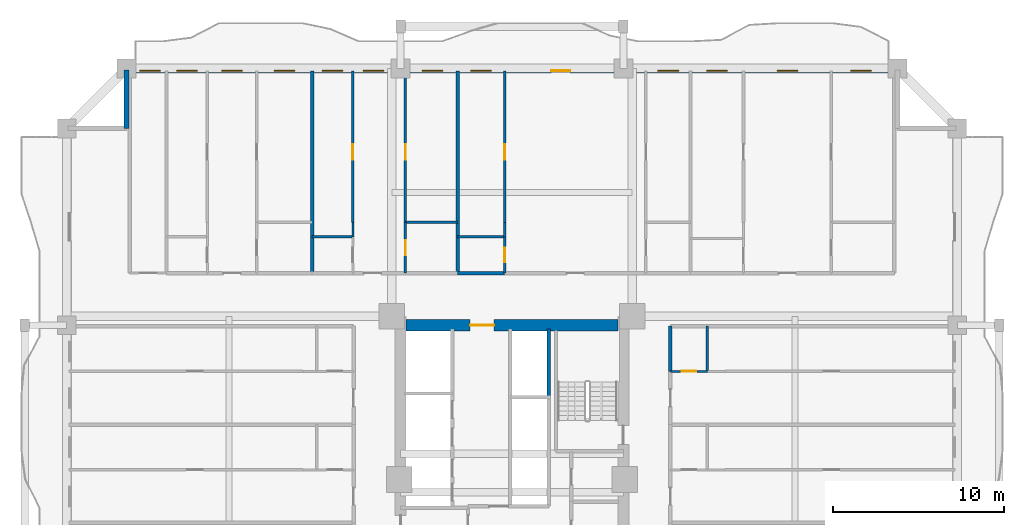
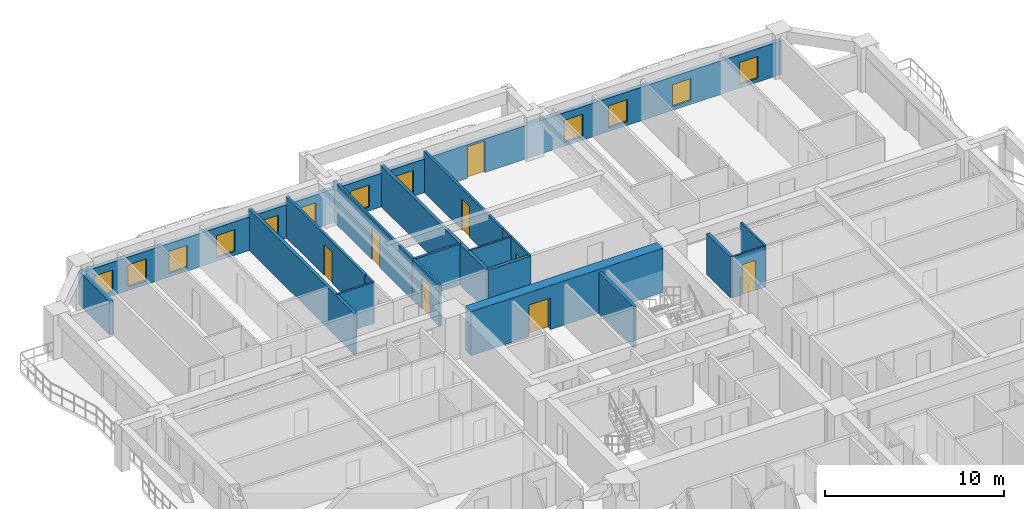
# One storey, part 8 of 16: 20 walls, 12 windows, 8 doors, 20 openings.
"""IFC4 building model written with IfcOpenShell, lengths in metres."""

from ifc_helpers import new_model, si_unit, direction, frame, frame_2d, origin, place, context, subcontext, project, spatial, rectangle, extrude, source, transform, mapped, material, layer, layer_set, type_object, element, fill, save


model = new_model("IFC4")

# Units and contexts
model_context = context("Model", 3, precision=1e-05, world=origin(), true_north=direction((0.0, 1.0)))
body_context = subcontext(model_context, "Body", "Model", "MODEL_VIEW")
ifc_project = project(units=[si_unit("LENGTHUNIT", "METRE"), si_unit("AREAUNIT", "SQUARE_METRE"), si_unit("VOLUMEUNIT", "CUBIC_METRE"), si_unit("PLANEANGLEUNIT", "RADIAN"), si_unit("MASSUNIT", "GRAM", prefix="KILO")], contexts=[model_context])

# Site, building, storey
site_placement = place(None, origin())
site = spatial("IfcSite", under=ifc_project, at=site_placement, CompositionType="ELEMENT")
building_placement = place(site_placement, origin())
building = spatial("IfcBuilding", under=site, at=building_placement, Name="Saelheon Loggia Tower", CompositionType="ELEMENT")
storey_placement = place(building_placement, frame((0.0, 0.0, 58.39990234375)))
storey = spatial("IfcBuildingStorey", under=building, at=storey_placement, Name="L18", CompositionType="ELEMENT", Elevation=58.39990234375)

# Wall, opening, door
ifc_material_1 = material(Name="Concrete C60/75", Category="concrete")
ifc_layer_1 = layer(ifc_material_1, 0.64990234375)
ifc_layer_set_1 = layer_set([ifc_layer_1], Name="Concrete C60/75")
wall_type_1 = type_object("IfcWallType", Name="Wall_CoreShear_650", PredefinedType="SHEAR", material=ifc_layer_set_1)
wall_1_placement = place(storey_placement, frame((31.824951171875, 36.0, 0.0), z_axis=(0.0, 0.0, 1.0), x_axis=(1.0, 0.0, 0.0)))
wall_1 = element("IfcWall", 1, at=wall_1_placement, inside=storey, type_object=wall_type_1, Name="L18 Core Shear Wall North", PredefinedType="SHEAR", context=body_context, shape_type="SweptSolid", body=[
    extrude(rectangle(XDim=12.35009765625, YDim=0.64990234375, at=frame_2d((6.175048828125, 0.0))), origin(), (0.0, 0.0, 1.0), 3.0),
])
opening_1_placement = place(wall_1_placement, frame((5.125, 0.0, 0.0), z_axis=(0.0, 0.0, 1.0), x_axis=(-1.0, 0.0, 0.0)))
opening_1 = element("IfcOpeningElement", 2, at=opening_1_placement, cuts=wall_1, Name="Opening D-FD2L", PredefinedType="OPENING", context=body_context, shape_type="SweptSolid", body=[
    extrude(rectangle(XDim=1.39990234375, YDim=2.14990234375, at=frame_2d((0.699951171875, 1.074951171875))), frame((0.0, 0.3369140625, 0.0), z_axis=(0.0, -1.0, 0.0), x_axis=(1.0, 0.0, 0.0)), (0.0, 0.0, 1.0), 0.673828125),
])
ifc_material_2 = material(Name="Galvanised Steel Glazed Lobby Fire Door", Category="steel")
door_type_1 = type_object("IfcDoorType", Name="Door_Fire_FD60_1400", OperationType="NOTDEFINED", PredefinedType="DOOR", material=ifc_material_2)
shared_shape_1 = source(origin(), body_context, "Body", "SweptSolid", [
    extrude(rectangle(XDim=1.39990234375, YDim=2.14990234375, at=frame_2d((0.699951171875, 1.074951171875))), frame((0.0, 0.02490234375, 0.0), z_axis=(0.0, -1.0, 0.0), x_axis=(1.0, 0.0, 0.0)), (0.0, 0.0, 1.0), 0.050048828125),
])
door_1_placement = place(opening_1_placement, origin())
door_1 = element("IfcDoor", 3, at=door_1_placement, inside=storey, type_object=door_type_1, Name="L18 Passenger Lift Lobby Main Door", OperationType="SINGLE_SWING_RIGHT", OverallHeight=2.14990234375, OverallWidth=1.39990234375, PredefinedType="DOOR", context=body_context, shape_type="MappedRepresentation", body=[
    mapped(shared_shape_1, transform((0.0, 0.0, 0.0), scale=1.0)),
])
fill(opening_1, door_1)

# Wall, openings, windows, door
ifc_material_3 = material(Name="Architectural Precast Concrete C40/50", Category="concrete")
ifc_layer_2 = layer(ifc_material_3, 0.280029296875)
ifc_layer_set_2 = layer_set([ifc_layer_2], Name="Architectural Precast Concrete C40/50")
wall_type_2 = type_object("IfcWallType", Name="Wall_Ext_Loggia_280", PredefinedType="SOLIDWALL", material=ifc_layer_set_2)
wall_2_placement = place(storey_placement, frame((15.5, 50.860107421875, 0.0), z_axis=(0.0, 0.0, 1.0), x_axis=(1.0, 0.0, 0.0)))
wall_2 = element("IfcWall", 4, at=wall_2_placement, inside=storey, type_object=wall_type_2, Name="L18 North Loggia Inner Wall", PredefinedType="SOLIDWALL", context=body_context, shape_type="SweptSolid", body=[
    extrude(rectangle(XDim=45.0, YDim=0.280029296875, at=frame_2d((22.5, 0.0))), origin(), (0.0, 0.0, 1.0), 2.280029296875),
])
opening_2_placement = place(wall_2_placement, frame((0.760009765625, 0.0, 0.25)))
opening_2 = element("IfcOpeningElement", 5, at=opening_2_placement, cuts=wall_2, Name="Opening WN-03", PredefinedType="OPENING", context=body_context, shape_type="SweptSolid", body=[
    extrude(rectangle(XDim=1.199951171875, YDim=1.5, at=frame_2d((0.60009765625, 0.75))), frame((0.0, 0.152099609375, 0.0), z_axis=(0.0, -1.0, 0.0), x_axis=(1.0, 0.0, 0.0)), (0.0, 0.0, 1.0), 0.303955078125),
])
opening_3_placement = place(wall_2_placement, frame((2.919677734375, 0.0, 0.25)))
opening_3 = element("IfcOpeningElement", 6, at=opening_3_placement, cuts=wall_2, Name="Opening WN-03", PredefinedType="OPENING", context=body_context, shape_type="SweptSolid", body=[
    extrude(rectangle(XDim=1.199951171875, YDim=1.5, at=frame_2d((0.60009765625, 0.75))), frame((0.0, 0.152099609375, 0.0), z_axis=(0.0, -1.0, 0.0), x_axis=(1.0, 0.0, 0.0)), (0.0, 0.0, 1.0), 0.303955078125),
])
opening_4_placement = place(wall_2_placement, frame((5.55419921875, 0.0, 0.25)))
opening_4 = element("IfcOpeningElement", 7, at=opening_4_placement, cuts=wall_2, Name="Opening WN-03", PredefinedType="OPENING", context=body_context, shape_type="SweptSolid", body=[
    extrude(rectangle(XDim=1.199951171875, YDim=1.5, at=frame_2d((0.60009765625, 0.75))), frame((0.0, 0.152099609375, 0.0), z_axis=(0.0, -1.0, 0.0), x_axis=(1.0, 0.0, 0.0)), (0.0, 0.0, 1.0), 0.303955078125),
])
opening_5_placement = place(wall_2_placement, frame((8.61328125, 0.0, 0.25)))
opening_5 = element("IfcOpeningElement", 8, at=opening_5_placement, cuts=wall_2, Name="Opening WN-03", PredefinedType="OPENING", context=body_context, shape_type="SweptSolid", body=[
    extrude(rectangle(XDim=1.199951171875, YDim=1.5, at=frame_2d((0.60009765625, 0.75))), frame((0.0, 0.152099609375, 0.0), z_axis=(0.0, -1.0, 0.0), x_axis=(1.0, 0.0, 0.0)), (0.0, 0.0, 1.0), 0.303955078125),
])
opening_6_placement = place(wall_2_placement, frame((11.417724609375, 0.0, 0.25)))
opening_6 = element("IfcOpeningElement", 9, at=opening_6_placement, cuts=wall_2, Name="Opening WN-03", PredefinedType="OPENING", context=body_context, shape_type="SweptSolid", body=[
    extrude(rectangle(XDim=1.199951171875, YDim=1.5, at=frame_2d((0.60009765625, 0.75))), frame((0.0, 0.152099609375, 0.0), z_axis=(0.0, -1.0, 0.0), x_axis=(1.0, 0.0, 0.0)), (0.0, 0.0, 1.0), 0.303955078125),
])
opening_7_placement = place(wall_2_placement, frame((13.80859375, 0.0, 0.25)))
opening_7 = element("IfcOpeningElement", 10, at=opening_7_placement, cuts=wall_2, Name="Opening WN-03", PredefinedType="OPENING", context=body_context, shape_type="SweptSolid", body=[
    extrude(rectangle(XDim=1.199951171875, YDim=1.5, at=frame_2d((0.60009765625, 0.75))), frame((0.0, 0.152099609375, 0.0), z_axis=(0.0, -1.0, 0.0), x_axis=(1.0, 0.0, 0.0)), (0.0, 0.0, 1.0), 0.303955078125),
])
opening_8_placement = place(wall_2_placement, frame((17.258056640625, 0.0, 0.25)))
opening_8 = element("IfcOpeningElement", 11, at=opening_8_placement, cuts=wall_2, Name="Opening WN-03", PredefinedType="OPENING", context=body_context, shape_type="SweptSolid", body=[
    extrude(rectangle(XDim=1.199951171875, YDim=1.5, at=frame_2d((0.60009765625, 0.75))), frame((0.0, 0.152099609375, 0.0), z_axis=(0.0, -1.0, 0.0), x_axis=(1.0, 0.0, 0.0)), (0.0, 0.0, 1.0), 0.303955078125),
])
opening_9_placement = place(wall_2_placement, frame((20.10107421875, 0.0, 0.25)))
opening_9 = element("IfcOpeningElement", 12, at=opening_9_placement, cuts=wall_2, Name="Opening WN-03", PredefinedType="OPENING", context=body_context, shape_type="SweptSolid", body=[
    extrude(rectangle(XDim=1.199951171875, YDim=1.5, at=frame_2d((0.60009765625, 0.75))), frame((0.0, 0.152099609375, 0.0), z_axis=(0.0, -1.0, 0.0), x_axis=(1.0, 0.0, 0.0)), (0.0, 0.0, 1.0), 0.303955078125),
])
opening_10_placement = place(wall_2_placement, frame((24.79296875, 0.0, 0.0)))
opening_10 = element("IfcOpeningElement", 13, at=opening_10_placement, cuts=wall_2, Name="Opening TD1", PredefinedType="OPENING", context=body_context, shape_type="SweptSolid", body=[
    extrude(rectangle(XDim=1.10009765625, YDim=2.14990234375, at=frame_2d((0.550048828125, 1.074951171875))), frame((0.0, 0.152099609375, 0.0), z_axis=(0.0, -1.0, 0.0), x_axis=(1.0, 0.0, 0.0)), (0.0, 0.0, 1.0), 0.303955078125),
])
opening_11_placement = place(wall_2_placement, frame((31.021484375, 0.0, 0.25)))
opening_11 = element("IfcOpeningElement", 14, at=opening_11_placement, cuts=wall_2, Name="Opening WN-03", PredefinedType="OPENING", context=body_context, shape_type="SweptSolid", body=[
    extrude(rectangle(XDim=1.199951171875, YDim=1.5, at=frame_2d((0.60009765625, 0.75))), frame((0.0, 0.152099609375, 0.0), z_axis=(0.0, -1.0, 0.0), x_axis=(1.0, 0.0, 0.0)), (0.0, 0.0, 1.0), 0.303955078125),
])
opening_12_placement = place(wall_2_placement, frame((33.869384765625, 0.0, 0.25)))
opening_12 = element("IfcOpeningElement", 15, at=opening_12_placement, cuts=wall_2, Name="Opening WN-03", PredefinedType="OPENING", context=body_context, shape_type="SweptSolid", body=[
    extrude(rectangle(XDim=1.199951171875, YDim=1.5, at=frame_2d((0.60009765625, 0.75))), frame((0.0, 0.152099609375, 0.0), z_axis=(0.0, -1.0, 0.0), x_axis=(1.0, 0.0, 0.0)), (0.0, 0.0, 1.0), 0.303955078125),
])
opening_13_placement = place(wall_2_placement, frame((37.979736328125, 0.0, 0.25)))
opening_13 = element("IfcOpeningElement", 16, at=opening_13_placement, cuts=wall_2, Name="Opening WN-03", PredefinedType="OPENING", context=body_context, shape_type="SweptSolid", body=[
    extrude(rectangle(XDim=1.199951171875, YDim=1.5, at=frame_2d((0.60009765625, 0.75))), frame((0.0, 0.152099609375, 0.0), z_axis=(0.0, -1.0, 0.0), x_axis=(1.0, 0.0, 0.0)), (0.0, 0.0, 1.0), 0.303955078125),
])
opening_14_placement = place(wall_2_placement, frame((42.276611328125, 0.0, 0.25)))
opening_14 = element("IfcOpeningElement", 17, at=opening_14_placement, cuts=wall_2, Name="Opening WN-03", PredefinedType="OPENING", context=body_context, shape_type="SweptSolid", body=[
    extrude(rectangle(XDim=1.199951171875, YDim=1.5, at=frame_2d((0.60009765625, 0.75))), frame((0.0, 0.152099609375, 0.0), z_axis=(0.0, -1.0, 0.0), x_axis=(1.0, 0.0, 0.0)), (0.0, 0.0, 1.0), 0.303955078125),
])
ifc_material_4 = material(Name="Thermal-Break Aluminium and Triple Low-E Glass", Category="aluminium")
window_type = type_object("IfcWindowType", Name="Win_Bedroom_1200x1500", PartitioningType="SINGLE_PANEL", PredefinedType="WINDOW", material=ifc_material_4)
shared_shape_2 = source(origin(), body_context, "Body", "SweptSolid", [
    extrude(rectangle(XDim=1.199951171875, YDim=1.5, at=frame_2d((0.60009765625, 0.75))), frame((0.0, 0.030029296875, 0.0), z_axis=(0.0, -1.0, 0.0), x_axis=(1.0, 0.0, 0.0)), (0.0, 0.0, 1.0), 0.06005859375),
])
window_1_placement = place(opening_2_placement, origin())
window_1 = element("IfcWindow", 18, at=window_1_placement, inside=storey, type_object=window_type, Name="L18 N Dwelling Window 1", OverallHeight=1.5, OverallWidth=1.199951171875, PartitioningType="SINGLE_PANEL", PredefinedType="WINDOW", context=body_context, shape_type="MappedRepresentation", body=[
    mapped(shared_shape_2, transform((0.0, 0.0, 0.0), scale=1.0)),
])
fill(opening_2, window_1)
window_2_placement = place(opening_3_placement, origin())
window_2 = element("IfcWindow", 19, at=window_2_placement, inside=storey, type_object=window_type, Name="L18 N Dwelling Window 2", OverallHeight=1.5, OverallWidth=1.199951171875, PartitioningType="SINGLE_PANEL", PredefinedType="WINDOW", context=body_context, shape_type="MappedRepresentation", body=[
    mapped(shared_shape_2, transform((0.0, 0.0, 0.0), scale=1.0)),
])
fill(opening_3, window_2)
window_3_placement = place(opening_4_placement, origin())
window_3 = element("IfcWindow", 20, at=window_3_placement, inside=storey, type_object=window_type, Name="L18 N Dwelling Window 3", OverallHeight=1.5, OverallWidth=1.199951171875, PartitioningType="SINGLE_PANEL", PredefinedType="WINDOW", context=body_context, shape_type="MappedRepresentation", body=[
    mapped(shared_shape_2, transform((0.0, 0.0, 0.0), scale=1.0)),
])
fill(opening_4, window_3)
window_4_placement = place(opening_5_placement, origin())
window_4 = element("IfcWindow", 21, at=window_4_placement, inside=storey, type_object=window_type, Name="L18 N Dwelling Window 4", OverallHeight=1.5, OverallWidth=1.199951171875, PartitioningType="SINGLE_PANEL", PredefinedType="WINDOW", context=body_context, shape_type="MappedRepresentation", body=[
    mapped(shared_shape_2, transform((0.0, 0.0, 0.0), scale=1.0)),
])
fill(opening_5, window_4)
window_5_placement = place(opening_6_placement, origin())
window_5 = element("IfcWindow", 22, at=window_5_placement, inside=storey, type_object=window_type, Name="L18 N Dwelling Window 5", OverallHeight=1.5, OverallWidth=1.199951171875, PartitioningType="SINGLE_PANEL", PredefinedType="WINDOW", context=body_context, shape_type="MappedRepresentation", body=[
    mapped(shared_shape_2, transform((0.0, 0.0, 0.0), scale=1.0)),
])
fill(opening_6, window_5)
window_6_placement = place(opening_7_placement, origin())
window_6 = element("IfcWindow", 23, at=window_6_placement, inside=storey, type_object=window_type, Name="L18 N Dwelling Window 6", OverallHeight=1.5, OverallWidth=1.199951171875, PartitioningType="SINGLE_PANEL", PredefinedType="WINDOW", context=body_context, shape_type="MappedRepresentation", body=[
    mapped(shared_shape_2, transform((0.0, 0.0, 0.0), scale=1.0)),
])
fill(opening_7, window_6)
window_7_placement = place(opening_8_placement, origin())
window_7 = element("IfcWindow", 24, at=window_7_placement, inside=storey, type_object=window_type, Name="L18 N Dwelling Window 7", OverallHeight=1.5, OverallWidth=1.199951171875, PartitioningType="SINGLE_PANEL", PredefinedType="WINDOW", context=body_context, shape_type="MappedRepresentation", body=[
    mapped(shared_shape_2, transform((0.0, 0.0, 0.0), scale=1.0)),
])
fill(opening_8, window_7)
window_8_placement = place(opening_9_placement, origin())
window_8 = element("IfcWindow", 25, at=window_8_placement, inside=storey, type_object=window_type, Name="L18 N Dwelling Window 8", OverallHeight=1.5, OverallWidth=1.199951171875, PartitioningType="SINGLE_PANEL", PredefinedType="WINDOW", context=body_context, shape_type="MappedRepresentation", body=[
    mapped(shared_shape_2, transform((0.0, 0.0, 0.0), scale=1.0)),
])
fill(opening_9, window_8)
window_9_placement = place(opening_11_placement, origin())
window_9 = element("IfcWindow", 26, at=window_9_placement, inside=storey, type_object=window_type, Name="L18 N Dwelling Window 10", OverallHeight=1.5, OverallWidth=1.199951171875, PartitioningType="SINGLE_PANEL", PredefinedType="WINDOW", context=body_context, shape_type="MappedRepresentation", body=[
    mapped(shared_shape_2, transform((0.0, 0.0, 0.0), scale=1.0)),
])
fill(opening_11, window_9)
window_10_placement = place(opening_12_placement, origin())
window_10 = element("IfcWindow", 27, at=window_10_placement, inside=storey, type_object=window_type, Name="L18 N Dwelling Window 11", OverallHeight=1.5, OverallWidth=1.199951171875, PartitioningType="SINGLE_PANEL", PredefinedType="WINDOW", context=body_context, shape_type="MappedRepresentation", body=[
    mapped(shared_shape_2, transform((0.0, 0.0, 0.0), scale=1.0)),
])
fill(opening_12, window_10)
window_11_placement = place(opening_13_placement, origin())
window_11 = element("IfcWindow", 28, at=window_11_placement, inside=storey, type_object=window_type, Name="L18 N Dwelling Window 12", OverallHeight=1.5, OverallWidth=1.199951171875, PartitioningType="SINGLE_PANEL", PredefinedType="WINDOW", context=body_context, shape_type="MappedRepresentation", body=[
    mapped(shared_shape_2, transform((0.0, 0.0, 0.0), scale=1.0)),
])
fill(opening_13, window_11)
window_12_placement = place(opening_14_placement, origin())
window_12 = element("IfcWindow", 29, at=window_12_placement, inside=storey, type_object=window_type, Name="L18 N Dwelling Window 13", OverallHeight=1.5, OverallWidth=1.199951171875, PartitioningType="SINGLE_PANEL", PredefinedType="WINDOW", context=body_context, shape_type="MappedRepresentation", body=[
    mapped(shared_shape_2, transform((0.0, 0.0, 0.0), scale=1.0)),
])
fill(opening_14, window_12)
ifc_material_5 = material(Name="Thermal-Break Aluminium Glazed Door", Category="aluminium")
door_type_2 = type_object("IfcDoorType", Name="Door_Terrace_TD1", OperationType="NOTDEFINED", PredefinedType="DOOR", material=ifc_material_5)
shared_shape_3 = source(origin(), body_context, "Body", "SweptSolid", [
    extrude(rectangle(XDim=1.10009765625, YDim=2.14990234375, at=frame_2d((0.550048828125, 1.074951171875))), frame((0.0, 0.02490234375, 0.0), z_axis=(0.0, -1.0, 0.0), x_axis=(1.0, 0.0, 0.0)), (0.0, 0.0, 1.0), 0.050048828125),
])
door_2_placement = place(opening_10_placement, origin())
door_2 = element("IfcDoor", 30, at=door_2_placement, inside=storey, type_object=door_type_2, Name="L18 N Loggia Access Door", OperationType="SINGLE_SWING_LEFT", OverallHeight=2.14990234375, OverallWidth=1.10009765625, PredefinedType="DOOR", context=body_context, shape_type="MappedRepresentation", body=[
    mapped(shared_shape_3, transform((0.0, 0.0, 0.0), scale=1.0)),
])
fill(opening_10, door_2)

# Walls
wall_3_placement = place(storey_placement, frame((15.5, 47.5, 0.0), z_axis=(0.0, 0.0, 1.0), x_axis=(0.0, 1.0, 0.0)))
element("IfcWall", 31, at=wall_3_placement, inside=storey, type_object=wall_type_2, Name="L18 Corner Notch Precast Wall NW1", PredefinedType="SOLIDWALL", context=body_context, shape_type="SweptSolid", body=[
    extrude(rectangle(XDim=3.419921875, YDim=0.280029296875, at=frame_2d((1.7099609375, 0.0))), origin(), (0.0, 0.0, 1.0), 2.280029296875),
])
ifc_material_6 = material(Name="Lightweight Autoclaved Aerated Concrete Block and Acoustic Gypsum", Category="concrete")
ifc_layer_3 = layer(ifc_material_6, 0.14990234375)
ifc_layer_set_3 = layer_set([ifc_layer_3], Name="Lightweight Autoclaved Aerated Concrete Block and Acoustic Gypsum")
wall_type_3 = type_object("IfcWallType", Name="Wall_Part_150", PredefinedType="PARTITIONING", material=ifc_layer_set_3)
wall_4_placement = place(storey_placement, frame((31.780029296875, 42.010009765625, 0.0), z_axis=(0.0, 0.0, 1.0), x_axis=(1.0, 0.0, 0.0)))
element("IfcWall", 32, at=wall_4_placement, inside=storey, type_object=wall_type_3, Name="L18 N Partition V20", PredefinedType="PARTITIONING", context=body_context, shape_type="SweptSolid", body=[
    extrude(rectangle(XDim=3.0458984375, YDim=0.14990234375, at=frame_2d((1.52294921875, 0.0))), origin(), (0.0, 0.0, 1.0), 2.7900390625),
])

# Wall, opening, door
wall_5_placement = place(storey_placement, frame((28.70751953125, 42.010009765625, 0.0), z_axis=(0.0, 0.0, 1.0), x_axis=(0.0, 1.0, 0.0)))
wall_5 = element("IfcWall", 33, at=wall_5_placement, inside=storey, type_object=wall_type_3, Name="L18 N Partition U23", PredefinedType="PARTITIONING", context=body_context, shape_type="SweptSolid", body=[
    extrude(rectangle(XDim=8.840087890625, YDim=0.14990234375, at=frame_2d((4.419921875, 0.0))), origin(), (0.0, 0.0, 1.0), 2.7900390625),
])
opening_15_placement = place(wall_5_placement, frame((3.6591796875, 0.0, 0.0)))
opening_15 = element("IfcOpeningElement", 34, at=opening_15_placement, cuts=wall_5, Name="Opening D-IN2", PredefinedType="OPENING", context=body_context, shape_type="SweptSolid", body=[
    extrude(rectangle(XDim=0.89990234375, YDim=2.10009765625, at=frame_2d((0.449951171875, 1.050048828125))), frame((0.0, 0.0869140625, 0.0), z_axis=(0.0, -1.0, 0.0), x_axis=(1.0, 0.0, 0.0)), (0.0, 0.0, 1.0), 0.173828125),
])
ifc_material_7 = material(Name="Engineered Oak Flush Door", Category="timber")
door_type_3 = type_object("IfcDoorType", Name="Door_Int_900", OperationType="NOTDEFINED", PredefinedType="DOOR", material=ifc_material_7)
shared_shape_4 = source(origin(), body_context, "Body", "SweptSolid", [
    extrude(rectangle(XDim=0.89990234375, YDim=2.10009765625, at=frame_2d((0.449951171875, 1.050048828125))), frame((0.0, 0.02490234375, 0.0), z_axis=(0.0, -1.0, 0.0), x_axis=(1.0, 0.0, 0.0)), (0.0, 0.0, 1.0), 0.050048828125),
])
door_3_placement = place(opening_15_placement, origin())
door_3 = element("IfcDoor", 35, at=door_3_placement, inside=storey, type_object=door_type_3, Name="Unit U07 Kitchen Door", OperationType="SINGLE_SWING_LEFT", OverallHeight=2.10009765625, OverallWidth=0.89990234375, PredefinedType="DOOR", context=body_context, shape_type="MappedRepresentation", body=[
    mapped(shared_shape_4, transform((0.0, 0.0, 0.0), scale=1.0)),
])
fill(opening_15, door_3)

wall_6_placement = place(storey_placement, frame((31.780029296875, 39.050048828125, 0.0), z_axis=(0.0, 0.0, 1.0), x_axis=(0.0, 1.0, 0.0)))
wall_6 = element("IfcWall", 36, at=wall_6_placement, inside=storey, type_object=wall_type_3, Name="L18 N Partition U24", PredefinedType="PARTITIONING", context=body_context, shape_type="SweptSolid", body=[
    extrude(rectangle(XDim=2.9599609375, YDim=0.14990234375, at=frame_2d((1.47998046875, 0.0))), origin(), (0.0, 0.0, 1.0), 2.7900390625),
])
opening_16_placement = place(wall_6_placement, frame((1.030029296875, 0.0, 0.0)))
opening_16 = element("IfcOpeningElement", 37, at=opening_16_placement, cuts=wall_6, Name="Opening D-IN2", PredefinedType="OPENING", context=body_context, shape_type="SweptSolid", body=[
    extrude(rectangle(XDim=0.89990234375, YDim=2.10009765625, at=frame_2d((0.449951171875, 1.050048828125))), frame((0.0, 0.0869140625, 0.0), z_axis=(0.0, -1.0, 0.0), x_axis=(1.0, 0.0, 0.0)), (0.0, 0.0, 1.0), 0.173828125),
])
door_4_placement = place(opening_16_placement, origin())
door_4 = element("IfcDoor", 38, at=door_4_placement, inside=storey, type_object=door_type_3, Name="Unit U07 Dressing Closet Door", OperationType="SINGLE_SWING_RIGHT", OverallHeight=2.10009765625, OverallWidth=0.89990234375, PredefinedType="DOOR", context=body_context, shape_type="MappedRepresentation", body=[
    mapped(shared_shape_4, transform((0.0, 0.0, 0.0), scale=1.0)),
])
fill(opening_16, door_4)

wall_7_placement = place(storey_placement, frame((31.780029296875, 42.010009765625, 0.0), z_axis=(0.0, 0.0, 1.0), x_axis=(0.0, 1.0, 0.0)))
wall_7 = element("IfcWall", 39, at=wall_7_placement, inside=storey, type_object=wall_type_3, Name="L18 N Partition U25", PredefinedType="PARTITIONING", context=body_context, shape_type="SweptSolid", body=[
    extrude(rectangle(XDim=8.840087890625, YDim=0.14990234375, at=frame_2d((4.419921875, 0.0))), origin(), (0.0, 0.0, 1.0), 2.7900390625),
])
opening_17_placement = place(wall_7_placement, frame((3.6591796875, 0.0, 0.0)))
opening_17 = element("IfcOpeningElement", 40, at=opening_17_placement, cuts=wall_7, Name="Opening D-IN2", PredefinedType="OPENING", context=body_context, shape_type="SweptSolid", body=[
    extrude(rectangle(XDim=0.89990234375, YDim=2.10009765625, at=frame_2d((0.449951171875, 1.050048828125))), frame((0.0, 0.0869140625, 0.0), z_axis=(0.0, -1.0, 0.0), x_axis=(1.0, 0.0, 0.0)), (0.0, 0.0, 1.0), 0.173828125),
])
door_5_placement = place(opening_17_placement, origin())
door_5 = element("IfcDoor", 41, at=door_5_placement, inside=storey, type_object=door_type_3, Name="Unit U07 Bedroom 1 Door", OperationType="SINGLE_SWING_LEFT", OverallHeight=2.10009765625, OverallWidth=0.89990234375, PredefinedType="DOOR", context=body_context, shape_type="MappedRepresentation", body=[
    mapped(shared_shape_4, transform((0.0, 0.0, 0.0), scale=1.0)),
])
fill(opening_17, door_5)

wall_8_placement = place(storey_placement, frame((37.575927734375, 42.010009765625, 0.0), z_axis=(0.0, 0.0, 1.0), x_axis=(0.0, 1.0, 0.0)))
wall_8 = element("IfcWall", 42, at=wall_8_placement, inside=storey, type_object=wall_type_3, Name="L18 N Partition U34", PredefinedType="PARTITIONING", context=body_context, shape_type="SweptSolid", body=[
    extrude(rectangle(XDim=8.840087890625, YDim=0.14990234375, at=frame_2d((4.419921875, 0.0))), origin(), (0.0, 0.0, 1.0), 2.7900390625),
])
opening_18_placement = place(wall_8_placement, frame((3.6591796875, 0.0, 0.0)))
opening_18 = element("IfcOpeningElement", 43, at=opening_18_placement, cuts=wall_8, Name="Opening D-IN2", PredefinedType="OPENING", context=body_context, shape_type="SweptSolid", body=[
    extrude(rectangle(XDim=0.89990234375, YDim=2.10009765625, at=frame_2d((0.449951171875, 1.050048828125))), frame((0.0, 0.0869140625, 0.0), z_axis=(0.0, -1.0, 0.0), x_axis=(1.0, 0.0, 0.0)), (0.0, 0.0, 1.0), 0.173828125),
])
door_6_placement = place(opening_18_placement, origin())
door_6 = element("IfcDoor", 44, at=door_6_placement, inside=storey, type_object=door_type_3, Name="Unit U08 Kitchen Door", OperationType="SINGLE_SWING_RIGHT", OverallHeight=2.10009765625, OverallWidth=0.89990234375, PredefinedType="DOOR", context=body_context, shape_type="MappedRepresentation", body=[
    mapped(shared_shape_4, transform((0.0, 0.0, 0.0), scale=1.0)),
])
fill(opening_18, door_6)

# Walls
ifc_material_8 = material(Name="Double Acoustic Stud and Fireboard Partition", Category="gypsum")
ifc_layer_4 = layer(ifc_material_8, 0.199951171875)
ifc_layer_set_4 = layer_set([ifc_layer_4], Name="Double Acoustic Stud and Fireboard Partition")
wall_type_4 = type_object("IfcWallType", Name="Wall_Party_200", PredefinedType="PARTITIONING", material=ifc_layer_set_4)
for number, where, z_axis, x_axis, name in (
    (45, (26.327880859375, 39.050048828125, 0.0), (0.0, 0.0, 1.0), (0.0, 1.0, 0.0), "L18 N Partition U15"),
    (46, (34.825927734375, 39.050048828125, 0.0), (0.0, 0.0, 1.0), (0.0, 1.0, 0.0), "L18 N Partition U26"),
):
    element("IfcWall", number, at=place(storey_placement, frame(where, z_axis=z_axis, x_axis=x_axis)), inside=storey, type_object=wall_type_4, Name=name, PredefinedType="PARTITIONING", context=body_context, shape_type="SweptSolid", body=[
        extrude(rectangle(XDim=11.800048828125, YDim=0.199951171875, at=frame_2d((5.89990234375, 0.0))), origin(), (0.0, 0.0, 1.0), 2.7900390625),
    ])
wall_9_placement = place(storey_placement, frame((34.825927734375, 39.050048828125, 0.0), z_axis=(0.0, 0.0, 1.0), x_axis=(1.0, 0.0, 0.0)))
element("IfcWall", 47, at=wall_9_placement, inside=storey, type_object=wall_type_4, Name="L18 N Partition V27", PredefinedType="PARTITIONING", context=body_context, shape_type="SweptSolid", body=[
    extrude(rectangle(XDim=2.75, YDim=0.199951171875, at=frame_2d((1.375, 0.0))), origin(), (0.0, 0.0, 1.0), 2.7900390625),
])
wall_10_placement = place(storey_placement, frame((47.25, 33.307861328125, 0.0), z_axis=(0.0, 0.0, 1.0), x_axis=(0.0, 1.0, 0.0)))
element("IfcWall", 48, at=wall_10_placement, inside=storey, type_object=wall_type_4, Name="L18 E Partition V20", PredefinedType="PARTITIONING", context=body_context, shape_type="SweptSolid", body=[
    extrude(rectangle(XDim=2.64208984375, YDim=0.199951171875, at=frame_2d((1.321044921875, 0.0))), origin(), (0.0, 0.0, 1.0), 2.7900390625),
])
ifc_material_9 = material(Name="Concrete C40/50", Category="concrete")
ifc_layer_5 = layer(ifc_material_9, 0.199951171875)
ifc_layer_set_5 = layer_set([ifc_layer_5], Name="Concrete C40/50")
wall_type_5 = type_object("IfcWallType", Name="Wall_Shaft_200", PredefinedType="PARTITIONING", material=ifc_layer_set_5)
wall_11_placement = place(storey_placement, frame((40.14990234375, 31.800048828125, 0.0), z_axis=(0.0, 0.0, 1.0), x_axis=(0.0, 1.0, 0.0)))
element("IfcWall", 49, at=wall_11_placement, inside=storey, type_object=wall_type_5, Name="L18 East High-Rise Hoistway East Wall", PredefinedType="PARTITIONING", context=body_context, shape_type="SweptSolid", body=[
    extrude(rectangle(XDim=3.97998046875, YDim=0.199951171875, at=frame_2d((1.989990234375, 0.0))), origin(), (0.0, 0.0, 1.0), 2.7900390625),
])
ifc_material_10 = material(Name="Moisture-Resistant Cement Board Partition", Category="gypsum")
ifc_layer_6 = layer(ifc_material_10, 0.1201171875)
ifc_layer_set_6 = layer_set([ifc_layer_6], Name="Moisture-Resistant Cement Board Partition")
wall_type_6 = type_object("IfcWallType", Name="Wall_WetPart_120", PredefinedType="PARTITIONING", material=ifc_layer_set_6)
wall_12_placement = place(storey_placement, frame((26.327880859375, 41.169921875, 0.0), z_axis=(0.0, 0.0, 1.0), x_axis=(1.0, 0.0, 0.0)))
element("IfcWall", 50, at=wall_12_placement, inside=storey, type_object=wall_type_6, Name="L18 N Partition V19", PredefinedType="PARTITIONING", context=body_context, shape_type="SweptSolid", body=[
    extrude(rectangle(XDim=2.379638671875, YDim=0.1201171875, at=frame_2d((1.18994140625, 0.0))), origin(), (0.0, 0.0, 1.0), 2.7900390625),
])
wall_13_placement = place(storey_placement, frame((28.70751953125, 41.169921875, 0.0), z_axis=(0.0, 0.0, 1.0), x_axis=(0.0, 1.0, 0.0)))
element("IfcWall", 51, at=wall_13_placement, inside=storey, type_object=wall_type_6, Name="L18 N Partition U22", PredefinedType="PARTITIONING", context=body_context, shape_type="SweptSolid", body=[
    extrude(rectangle(XDim=0.840087890625, YDim=0.1201171875, at=frame_2d((0.419921875, 0.0))), origin(), (0.0, 0.0, 1.0), 2.7900390625),
])
wall_14_placement = place(storey_placement, frame((34.825927734375, 41.169921875, 0.0), z_axis=(0.0, 0.0, 1.0), x_axis=(1.0, 0.0, 0.0)))
element("IfcWall", 52, at=wall_14_placement, inside=storey, type_object=wall_type_6, Name="L18 N Partition V30", PredefinedType="PARTITIONING", context=body_context, shape_type="SweptSolid", body=[
    extrude(rectangle(XDim=2.75, YDim=0.1201171875, at=frame_2d((1.375, 0.0))), origin(), (0.0, 0.0, 1.0), 2.7900390625),
])

# Wall, opening, door
wall_15_placement = place(storey_placement, frame((37.575927734375, 39.050048828125, 0.0), z_axis=(0.0, 0.0, 1.0), x_axis=(0.0, 1.0, 0.0)))
wall_15 = element("IfcWall", 53, at=wall_15_placement, inside=storey, type_object=wall_type_6, Name="L18 N Partition U32", PredefinedType="PARTITIONING", context=body_context, shape_type="SweptSolid", body=[
    extrude(rectangle(XDim=2.119873046875, YDim=0.1201171875, at=frame_2d((1.06005859375, 0.0))), origin(), (0.0, 0.0, 1.0), 2.7900390625),
])
opening_19_placement = place(wall_15_placement, frame((0.635009765625, 0.0, 0.0)))
opening_19 = element("IfcOpeningElement", 54, at=opening_19_placement, cuts=wall_15, Name="Opening D-BT1", PredefinedType="OPENING", context=body_context, shape_type="SweptSolid", body=[
    extrude(rectangle(XDim=0.85009765625, YDim=2.050048828125, at=frame_2d((0.425048828125, 1.02490234375))), frame((0.0, 0.072021484375, 0.0), z_axis=(0.0, -1.0, 0.0), x_axis=(1.0, 0.0, 0.0)), (0.0, 0.0, 1.0), 0.14404296875),
])
ifc_material_11 = material(Name="Moisture-Resistant Laminate Timber Door", Category="wood")
door_type_4 = type_object("IfcDoorType", Name="Door_Bath_850", OperationType="NOTDEFINED", PredefinedType="DOOR", material=ifc_material_11)
shared_shape_5 = source(origin(), body_context, "Body", "SweptSolid", [
    extrude(rectangle(XDim=0.85009765625, YDim=2.050048828125, at=frame_2d((0.425048828125, 1.02490234375))), frame((0.0, 0.02490234375, 0.0), z_axis=(0.0, -1.0, 0.0), x_axis=(1.0, 0.0, 0.0)), (0.0, 0.0, 1.0), 0.050048828125),
])
door_7_placement = place(opening_19_placement, origin())
door_7 = element("IfcDoor", 55, at=door_7_placement, inside=storey, type_object=door_type_4, Name="Unit U08 Bathroom Door", OperationType="SINGLE_SWING_LEFT", OverallHeight=2.050048828125, OverallWidth=0.85009765625, PredefinedType="DOOR", context=body_context, shape_type="MappedRepresentation", body=[
    mapped(shared_shape_5, transform((0.0, 0.0, 0.0), scale=1.0)),
])
fill(opening_19, door_7)

# Wall
wall_16_placement = place(storey_placement, frame((37.575927734375, 41.169921875, 0.0), z_axis=(0.0, 0.0, 1.0), x_axis=(0.0, 1.0, 0.0)))
element("IfcWall", 56, at=wall_16_placement, inside=storey, type_object=wall_type_6, Name="L18 N Partition U33", PredefinedType="PARTITIONING", context=body_context, shape_type="SweptSolid", body=[
    extrude(rectangle(XDim=0.840087890625, YDim=0.1201171875, at=frame_2d((0.419921875, 0.0))), origin(), (0.0, 0.0, 1.0), 2.7900390625),
])

# Wall, opening, door
wall_17_placement = place(storey_placement, frame((47.25, 33.307861328125, 0.0), z_axis=(0.0, 0.0, 1.0), x_axis=(1.0, 0.0, 0.0)))
wall_17 = element("IfcWall", 57, at=wall_17_placement, inside=storey, type_object=wall_type_6, Name="L18 E Partition U21", PredefinedType="PARTITIONING", context=body_context, shape_type="SweptSolid", body=[
    extrude(rectangle(XDim=2.14990234375, YDim=0.1201171875, at=frame_2d((1.074951171875, 0.0))), origin(), (0.0, 0.0, 1.0), 2.7900390625),
])
opening_20_placement = place(wall_17_placement, frame((0.64990234375, 0.0, 0.0)))
opening_20 = element("IfcOpeningElement", 58, at=opening_20_placement, cuts=wall_17, Name="Opening D-BT1", PredefinedType="OPENING", context=body_context, shape_type="SweptSolid", body=[
    extrude(rectangle(XDim=0.85009765625, YDim=2.050048828125, at=frame_2d((0.425048828125, 1.02490234375))), frame((0.0, 0.072021484375, 0.0), z_axis=(0.0, -1.0, 0.0), x_axis=(1.0, 0.0, 0.0)), (0.0, 0.0, 1.0), 0.14404296875),
])
door_8_placement = place(opening_20_placement, origin())
door_8 = element("IfcDoor", 59, at=door_8_placement, inside=storey, type_object=door_type_4, Name="Unit U15 Bathroom Door", OperationType="SINGLE_SWING_RIGHT", OverallHeight=2.050048828125, OverallWidth=0.85009765625, PredefinedType="DOOR", context=body_context, shape_type="MappedRepresentation", body=[
    mapped(shared_shape_5, transform((0.0, 0.0, 0.0), scale=1.0)),
])
fill(opening_20, door_8)

# Wall
wall_18_placement = place(storey_placement, frame((49.39990234375, 33.307861328125, 0.0), z_axis=(0.0, 0.0, 1.0), x_axis=(0.0, 1.0, 0.0)))
element("IfcWall", 60, at=wall_18_placement, inside=storey, type_object=wall_type_6, Name="L18 E Partition V23", PredefinedType="PARTITIONING", context=body_context, shape_type="SweptSolid", body=[
    extrude(rectangle(XDim=2.64208984375, YDim=0.1201171875, at=frame_2d((1.321044921875, 0.0))), origin(), (0.0, 0.0, 1.0), 2.7900390625),
])

save(model, "model.ifc")
